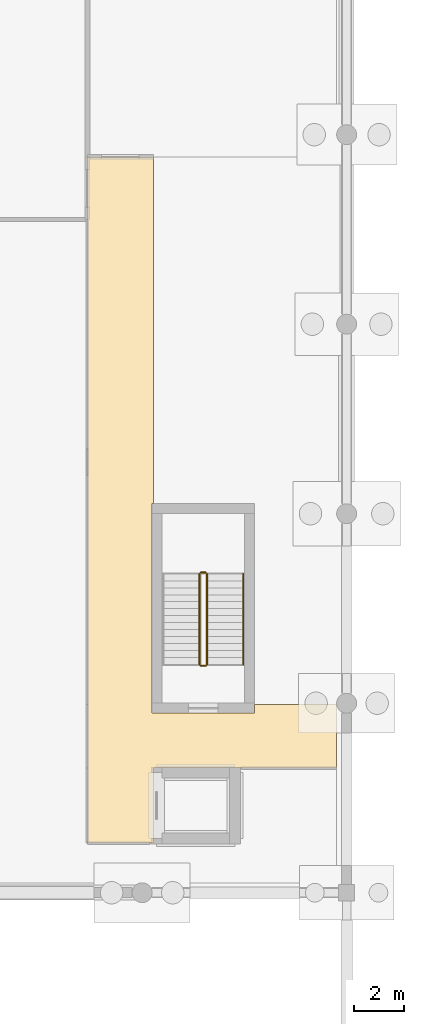
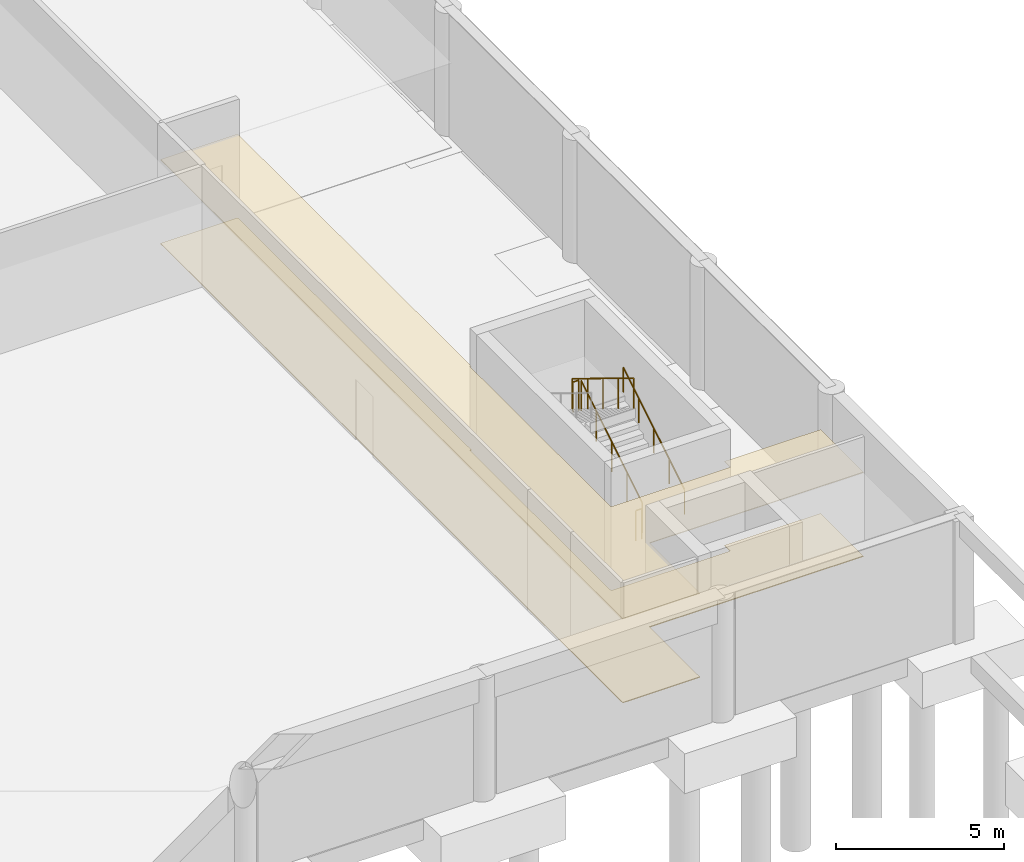
# One storey, part 24 of 29: 5 railings, 2 coverings.
"""IFC4 building model written with IfcOpenShell, lengths in metres."""

from ifc_helpers import new_model, si_unit, direction, frame, origin, origin_2d, place, context, subcontext, project, spatial, polyline, circle, outline, extrude, material, layer, layer_set, type_object, element, save


model = new_model("IFC4")

# Units and contexts
model_context = context("Model", 3, precision=1e-05, world=origin(), true_north=direction((0.0, 1.0)))
body_context = subcontext(model_context, "Body", "Model", "MODEL_VIEW")
ifc_project = project(units=[si_unit("LENGTHUNIT", "METRE"), si_unit("AREAUNIT", "SQUARE_METRE"), si_unit("VOLUMEUNIT", "CUBIC_METRE"), si_unit("PLANEANGLEUNIT", "RADIAN"), si_unit("MASSUNIT", "GRAM", prefix="KILO")], contexts=[model_context])

# Site, building, storey
site_placement = place(None, origin())
site = spatial("IfcSite", under=ifc_project, at=site_placement, CompositionType="ELEMENT")
building_placement = place(site_placement, origin())
building = spatial("IfcBuilding", under=site, at=building_placement, Name="Qandaris Square Conservatory and Botanical Centre", CompositionType="ELEMENT")
storey_placement = place(building_placement, frame((0.0, 0.0, -4.800048828125)))
storey = spatial("IfcBuildingStorey", under=building, at=storey_placement, Name="B1", CompositionType="ELEMENT", Elevation=-4.800048828125)

# Coverings
ifc_material_1 = material(Name="Honed Qatari Limestone", Category="masonry")
ifc_layer_1 = layer(ifc_material_1, 0.030029296875)
ifc_layer_set_1 = layer_set([ifc_layer_1], Name="Honed Qatari Limestone")
covering_type_1 = type_object("IfcCoveringType", Name="Honed Qatari Limestone Concourse Paving", PredefinedType="FLOORING", material=ifc_layer_set_1)
covering_1_placement = place(storey_placement, origin())
element("IfcCovering", 1, at=covering_1_placement, inside=storey, type_object=covering_type_1, Name="West Basement Service Corridor Flooring", PredefinedType="FLOORING", context=body_context, shape_type="SweptSolid", body=[
    extrude(outline(polyline([(46.800048828125, 52.0), (46.800048828125, 54.550048828125), (46.800048828125, 76.5), (49.449951171875, 76.5), (49.449951171875, 62.60009765625), (49.39990234375, 62.60009765625), (49.39990234375, 54.199951171875), (53.5, 54.199951171875), (53.5, 54.550048828125), (56.800048828125, 54.550048828125), (56.800048828125, 52.0), (49.449951171875, 52.0), (49.449951171875, 49.0), (46.800048828125, 49.0), (46.800048828125, 52.0)])), origin(), (0.0, 0.0, 1.0), 0.030029296875),
])
ifc_material_2 = material(Name="Gypsum Plasterboard", Category="gypsum")
ifc_layer_2 = layer(ifc_material_2, 0.02490234375)
ifc_layer_set_2 = layer_set([ifc_layer_2], Name="Gypsum Plasterboard")
covering_type_2 = type_object("IfcCoveringType", Name="Perforated Acoustic Lab Ceiling Tile", PredefinedType="CEILING", material=ifc_layer_set_2)
covering_2_placement = place(storey_placement, frame((0.0, 0.0, 3.050048828125)))
element("IfcCovering", 2, at=covering_2_placement, inside=storey, type_object=covering_type_2, Name="West Basement Service Corridor Ceiling", PredefinedType="CEILING", context=body_context, shape_type="SweptSolid", body=[
    extrude(outline(polyline([(46.800048828125, 52.0), (46.800048828125, 54.550048828125), (46.800048828125, 76.5), (49.449951171875, 76.5), (49.449951171875, 62.60009765625), (49.39990234375, 62.60009765625), (49.39990234375, 54.199951171875), (53.5, 54.199951171875), (53.5, 54.550048828125), (56.800048828125, 54.550048828125), (56.800048828125, 52.0), (49.449951171875, 52.0), (49.449951171875, 49.0), (46.800048828125, 49.0), (46.800048828125, 52.0)])), origin(), (0.0, 0.0, 1.0), 0.02490234375),
])

# Railings
ifc_material_3 = material(Name="Stainless Steel", Category="steel")
railing_type_1 = type_object("IfcRailingType", Name="Stair Tubular Handrail 920mm", PredefinedType="HANDRAIL", material=ifc_material_3)
railing_1_placement = place(storey_placement, frame((53.050048828125, 56.14990234375, 0.343017578125)))
element("IfcRailing", 3, at=railing_1_placement, inside=storey, type_object=railing_type_1, Name="B1 ST-5 stair handrail 1", PredefinedType="HANDRAIL", context=body_context, shape_type="SweptSolid", body=[
    extrude(circle(Radius=0.02392578125, at=origin_2d()), frame((0.0, 0.0, 0.89599609375), z_axis=(0.0, 0.852865859571, 0.52213008492), x_axis=(-1.0, 0.0, 0.0)), (0.0, 0.0, 1.0), 4.26806640625),
    extrude(circle(Radius=0.02099609375, at=origin_2d()), origin(), (0.0, 0.0, 1.0), 0.871826171875),
    extrude(circle(Radius=0.02099609375, at=origin_2d()), frame((0.0, 0.91015625, 0.55712890625)), (0.0, 0.0, 1.0), 0.871826171875),
    extrude(circle(Radius=0.02099609375, at=origin_2d()), frame((0.0, 1.820068359375, 1.1142578125)), (0.0, 0.0, 1.0), 0.871826171875),
    extrude(circle(Radius=0.02099609375, at=origin_2d()), frame((0.0, 2.72998046875, 1.67138671875)), (0.0, 0.0, 1.0), 0.871826171875),
    extrude(circle(Radius=0.02099609375, at=origin_2d()), frame((0.0, 3.64013671875, 2.228515625)), (0.0, 0.0, 1.0), 0.871826171875),
])
railing_type_2 = type_object("IfcRailingType", Name="Stairwell & Atrium Guardrail 1120mm", PredefinedType="GUARDRAIL", material=ifc_material_3)
railing_2_placement = place(storey_placement, frame((51.60009765625, 56.14990234375, 0.17138671875)))
element("IfcRailing", 4, at=railing_2_placement, inside=storey, type_object=railing_type_2, Name="B1 ST-5 stair guard 1", PredefinedType="GUARDRAIL", context=body_context, shape_type="SweptSolid", body=[
    extrude(circle(Radius=0.02392578125, at=origin_2d()), frame((0.0, 0.0, 1.09619140625), z_axis=(0.0, 0.852840387347, 0.522171689878), x_axis=(-1.0, 0.0, 0.0)), (0.0, 0.0, 1.0), 4.268310546875),
    extrude(circle(Radius=0.02099609375, at=origin_2d()), origin(), (0.0, 0.0, 1.0), 1.072021484375),
    extrude(circle(Radius=0.02099609375, at=origin_2d()), frame((0.0, 0.91015625, 0.55712890625)), (0.0, 0.0, 1.0), 1.072021484375),
    extrude(circle(Radius=0.02099609375, at=origin_2d()), frame((0.0, 1.820068359375, 1.1142578125)), (0.0, 0.0, 1.0), 1.072021484375),
    extrude(circle(Radius=0.02099609375, at=origin_2d()), frame((0.0, 2.72998046875, 1.671630859375)), (0.0, 0.0, 1.0), 1.072021484375),
    extrude(circle(Radius=0.02099609375, at=origin_2d()), frame((0.0, 3.64013671875, 2.228759765625)), (0.0, 0.0, 1.0), 1.072021484375),
])
railing_3_placement = place(storey_placement, frame((51.550048828125, 59.840087890625, 2.400146484375)))
element("IfcRailing", 5, at=railing_3_placement, inside=storey, type_object=railing_type_2, Name="B1 ST-5 stair guard 2", PredefinedType="GUARDRAIL", context=body_context, shape_type="SweptSolid", body=[
    extrude(circle(Radius=0.02392578125, at=origin_2d()), frame((0.0, 0.0, 1.09619140625), z_axis=(-1.0, 0.0, 0.0), x_axis=(0.0, -1.0, 0.0)), (0.0, 0.0, 1.0), 0.199951171875),
    extrude(circle(Radius=0.02099609375, at=origin_2d()), origin(), (0.0, 0.0, 1.0), 1.072021484375),
    extrude(circle(Radius=0.02099609375, at=origin_2d()), frame((-0.199951171875, 0.0, 0.0)), (0.0, 0.0, 1.0), 1.072021484375),
])
railing_4_placement = place(storey_placement, frame((51.300048828125, 59.7900390625, 2.571533203125)))
element("IfcRailing", 6, at=railing_4_placement, inside=storey, type_object=railing_type_2, Name="B1 ST-5 stair guard 3", PredefinedType="GUARDRAIL", context=body_context, shape_type="SweptSolid", body=[
    extrude(circle(Radius=0.02392578125, at=origin_2d()), frame((0.0, 0.0, 1.09619140625), z_axis=(0.0, -0.852865859571, 0.52213008492), x_axis=(1.0, 0.0, 0.0)), (0.0, 0.0, 1.0), 4.26806640625),
    extrude(circle(Radius=0.02099609375, at=origin_2d()), origin(), (0.0, 0.0, 1.0), 1.072021484375),
    extrude(circle(Radius=0.02099609375, at=origin_2d()), frame((0.0, -0.91015625, 0.55712890625)), (0.0, 0.0, 1.0), 1.072021484375),
    extrude(circle(Radius=0.02099609375, at=origin_2d()), frame((0.0, -1.820068359375, 1.1142578125)), (0.0, 0.0, 1.0), 1.072021484375),
    extrude(circle(Radius=0.02099609375, at=origin_2d()), frame((0.0, -2.72998046875, 1.67138671875)), (0.0, 0.0, 1.0), 1.072021484375),
    extrude(circle(Radius=0.02099609375, at=origin_2d()), frame((0.0, -3.64013671875, 2.228515625)), (0.0, 0.0, 1.0), 1.072021484375),
])
railing_5_placement = place(storey_placement, frame((51.550048828125, 56.10009765625, 0.0)))
element("IfcRailing", 7, at=railing_5_placement, inside=storey, type_object=railing_type_2, Name="B1 ST-5 stair guard 4", PredefinedType="GUARDRAIL", context=body_context, shape_type="SweptSolid", body=[
    extrude(circle(Radius=0.02392578125, at=origin_2d()), frame((0.0, 0.0, 1.09619140625), z_axis=(-1.0, 0.0, 0.0), x_axis=(0.0, -1.0, 0.0)), (0.0, 0.0, 1.0), 0.199951171875),
    extrude(circle(Radius=0.02099609375, at=origin_2d()), origin(), (0.0, 0.0, 1.0), 1.072021484375),
    extrude(circle(Radius=0.02099609375, at=origin_2d()), frame((-0.199951171875, 0.0, 0.0)), (0.0, 0.0, 1.0), 1.072021484375),
])

save(model, "model.ifc")
